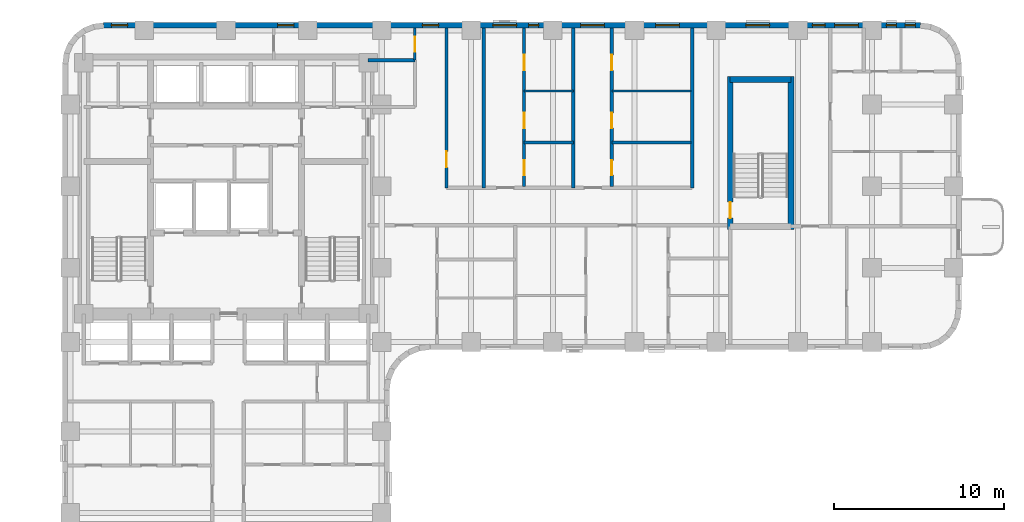
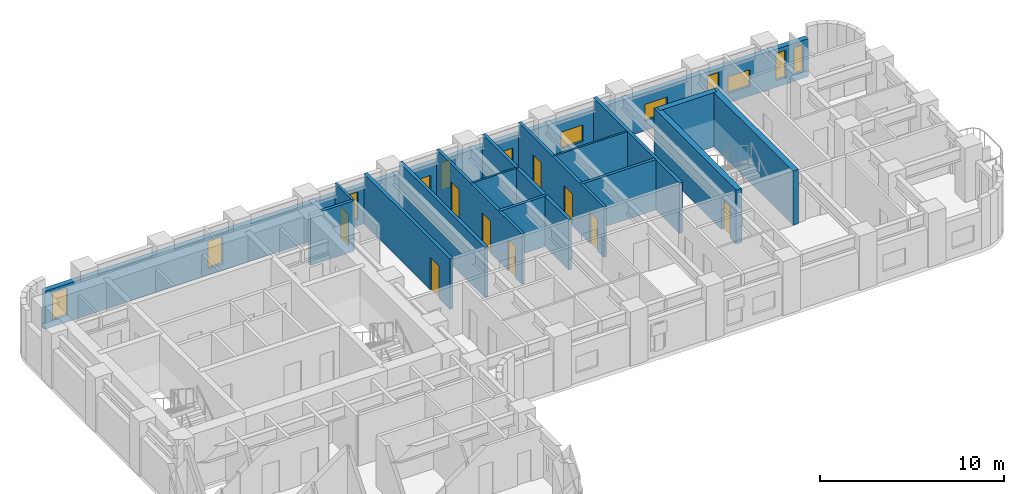
# One storey, part 7 of 10: 16 walls, 12 windows, 9 doors, 21 openings.
"""IFC4 building model written with IfcOpenShell, lengths in metres."""

from ifc_helpers import new_model, si_unit, direction, frame, frame_2d, origin, place, context, subcontext, project, spatial, rectangle, extrude, material, layer, layer_set, type_object, element, fill, save


model = new_model("IFC4")

# Units and contexts
model_context = context("Model", 3, precision=1e-05, world=origin(), true_north=direction((0.0, 1.0)))
body_context = subcontext(model_context, "Body", "Model", "MODEL_VIEW")
ifc_project = project(units=[si_unit("LENGTHUNIT", "METRE"), si_unit("AREAUNIT", "SQUARE_METRE"), si_unit("VOLUMEUNIT", "CUBIC_METRE"), si_unit("PLANEANGLEUNIT", "RADIAN"), si_unit("MASSUNIT", "GRAM", prefix="KILO")], contexts=[model_context])

# Site, building, storey
site_placement = place(None, origin())
site = spatial("IfcSite", under=ifc_project, at=site_placement, CompositionType="ELEMENT")
building_placement = place(site_placement, origin())
building = spatial("IfcBuilding", under=site, at=building_placement, Name="Orvandelia Arch Residences", CompositionType="ELEMENT")
storey_placement = place(building_placement, frame((0.0, 0.0, 32.199951171875)))
storey = spatial("IfcBuildingStorey", under=building, at=storey_placement, Name="L07", CompositionType="ELEMENT", Elevation=32.199951171875)

# Wall, opening, door
ifc_material_1 = material(Name="Concrete C50/60", Category="concrete")
ifc_layer_1 = layer(ifc_material_1, 0.35009765625, Name="Concrete C50/60", Category="concrete")
ifc_layer_set_1 = layer_set([ifc_layer_1], Name="Concrete C50/60")
wall_type_1 = type_object("IfcWallType", Name="WL-CORE-350", PredefinedType="SHEAR", material=ifc_layer_set_1)
wall_1_placement = place(storey_placement, frame((44.02001953125, 35.864990234375, 0.0), z_axis=(0.0, 0.0, 1.0), x_axis=(0.0, 1.0, 0.0)))
wall_1 = element("IfcWall", 1, at=wall_1_placement, inside=storey, type_object=wall_type_1, Name="East Stair Core Shear Wall L07-W", PredefinedType="SHEAR", context=body_context, shape_type="SweptSolid", body=[
    extrude(rectangle(XDim=8.969970703125, YDim=0.35009765625, at=frame_2d((4.48486328125, 0.0))), origin(), (0.0, 0.0, 1.0), 3.60009765625),
])
opening_1_placement = place(wall_1_placement, frame((0.64990234375, 0.0, 0.0)))
opening_1 = element("IfcOpeningElement", 2, at=opening_1_placement, cuts=wall_1, Name="Opening D7", PredefinedType="OPENING", context=body_context, shape_type="SweptSolid", body=[
    extrude(rectangle(XDim=0.949951171875, YDim=2.10009765625, at=frame_2d((0.47509765625, 1.050048828125))), frame((0.0, 0.18505859375, 0.0), z_axis=(0.0, -1.0, 0.0), x_axis=(1.0, 0.0, 0.0)), (0.0, 0.0, 1.0), 0.3701171875),
])
ifc_material_2 = material(Name="Pressurised Stairwell Fire Door")
door_type_1 = type_object("IfcDoorType", Name="DR-STAIR-950", OperationType="NOTDEFINED", PredefinedType="DOOR", material=ifc_material_2)
door_1_placement = place(opening_1_placement, origin())
door_1 = element("IfcDoor", 3, at=door_1_placement, inside=storey, type_object=door_type_1, Name="East Stairwell ST-3 Fire Door L07", OperationType="SINGLE_SWING_LEFT", OverallHeight=2.10009765625, OverallWidth=0.949951171875, PredefinedType="DOOR", context=body_context, shape_type="SweptSolid", body=[
    extrude(rectangle(XDim=0.949951171875, YDim=2.10009765625, at=frame_2d((0.47509765625, 1.050048828125))), frame((0.0, 0.02490234375, 0.0), z_axis=(0.0, -1.0, 0.0), x_axis=(1.0, 0.0, 0.0)), (0.0, 0.0, 1.0), 0.050048828125),
])
fill(opening_1, door_1)

# Walls
wall_2_placement = place(storey_placement, frame((47.60009765625, 35.864990234375, 0.0), z_axis=(0.0, 0.0, 1.0), x_axis=(0.0, 1.0, 0.0)))
element("IfcWall", 4, at=wall_2_placement, inside=storey, type_object=wall_type_1, Name="East Stair Core Shear Wall L07-E", PredefinedType="SHEAR", context=body_context, shape_type="SweptSolid", body=[
    extrude(rectangle(XDim=8.969970703125, YDim=0.35009765625, at=frame_2d((4.48486328125, 0.0))), origin(), (0.0, 0.0, 1.0), 3.60009765625),
])
wall_3_placement = place(storey_placement, frame((44.02001953125, 44.659912109375, 0.0), z_axis=(0.0, 0.0, 1.0), x_axis=(1.0, 0.0, 0.0)))
element("IfcWall", 5, at=wall_3_placement, inside=storey, type_object=wall_type_1, Name="East Stair Core Shear Wall L07-N", PredefinedType="SHEAR", context=body_context, shape_type="SweptSolid", body=[
    extrude(rectangle(XDim=3.580078125, YDim=0.35009765625, at=frame_2d((1.7900390625, 0.0))), origin(), (0.0, 0.0, 1.0), 3.60009765625),
])
ifc_material_3 = material(Name="Fire-Rated Corridor Partition")
ifc_layer_2 = layer(ifc_material_3, 0.199951171875, Name="Fire-Rated Corridor Partition")
ifc_layer_set_2 = layer_set([ifc_layer_2], Name="Fire-Rated Corridor Partition")
wall_type_2 = type_object("IfcWallType", Name="WL-CORR-200", PredefinedType="PARTITIONING", material=ifc_layer_set_2)
wall_4_placement = place(storey_placement, frame((22.75, 45.800048828125, 0.0), z_axis=(0.0, 0.0, 1.0), x_axis=(1.0, 0.0, 0.0)))
element("IfcWall", 6, at=wall_4_placement, inside=storey, type_object=wall_type_2, Name="Interior Partition Wall WL-L07-NCE-S", PredefinedType="PARTITIONING", context=body_context, shape_type="SweptSolid", body=[
    extrude(rectangle(XDim=2.75, YDim=0.199951171875, at=frame_2d((1.375, 0.0))), origin(), (0.0, 0.0, 1.0), 3.35009765625),
])

# Wall, opening, door
wall_5_placement = place(storey_placement, frame((27.35009765625, 38.300048828125, 0.0), z_axis=(0.0, 0.0, 1.0), x_axis=(0.0, 1.0, 0.0)))
wall_5 = element("IfcWall", 7, at=wall_5_placement, inside=storey, type_object=wall_type_2, Name="Interior Partition Wall WL-L07-EM-NCE", PredefinedType="PARTITIONING", context=body_context, shape_type="SweptSolid", body=[
    extrude(rectangle(XDim=9.3798828125, YDim=0.199951171875, at=frame_2d((4.68994140625, 0.0))), origin(), (0.0, 0.0, 1.0), 3.35009765625),
])
opening_2_placement = place(wall_5_placement, frame((1.199951171875, 0.0, 0.0)))
opening_2 = element("IfcOpeningElement", 8, at=opening_2_placement, cuts=wall_5, Name="Opening D2", PredefinedType="OPENING", context=body_context, shape_type="SweptSolid", body=[
    extrude(rectangle(XDim=0.949951171875, YDim=2.14990234375, at=frame_2d((0.47509765625, 1.074951171875))), frame((0.0, 0.10986328125, 0.0), z_axis=(0.0, -1.0, 0.0), x_axis=(1.0, 0.0, 0.0)), (0.0, 0.0, 1.0), 0.219970703125),
])
ifc_material_4 = material(Name="Solid-Core Timber Interior Fire Door", Category="wood")
door_type_2 = type_object("IfcDoorType", Name="DR-APT-950", OperationType="NOTDEFINED", PredefinedType="DOOR", material=ifc_material_4)
door_2_placement = place(opening_2_placement, origin())
door_2 = element("IfcDoor", 9, at=door_2_placement, inside=storey, type_object=door_type_2, Name="DR-L07-LDY", OperationType="SINGLE_SWING_RIGHT", OverallHeight=2.14990234375, OverallWidth=0.949951171875, PredefinedType="DOOR", context=body_context, shape_type="SweptSolid", body=[
    extrude(rectangle(XDim=0.949951171875, YDim=2.14990234375, at=frame_2d((0.47509765625, 1.074951171875))), frame((0.0, 0.02490234375, 0.0), z_axis=(0.0, -1.0, 0.0), x_axis=(1.0, 0.0, 0.0)), (0.0, 0.0, 1.0), 0.050048828125),
])
fill(opening_2, door_2)

# Walls
wall_6_placement = place(storey_placement, frame((41.780029296875, 38.300048828125, 0.0), z_axis=(0.0, 0.0, 1.0), x_axis=(0.0, 1.0, 0.0)))
element("IfcWall", 10, at=wall_6_placement, inside=storey, type_object=wall_type_2, Name="Interior Partition Wall WL-L07-ETV-W", PredefinedType="PARTITIONING", context=body_context, shape_type="SweptSolid", body=[
    extrude(rectangle(XDim=9.3798828125, YDim=0.199951171875, at=frame_2d((4.68994140625, 0.0))), origin(), (0.0, 0.0, 1.0), 3.35009765625),
])
ifc_material_5 = material(Name="Concrete C40/50", Category="concrete")
ifc_layer_3 = layer(ifc_material_5, 0.199951171875, Name="Concrete C40/50", Category="concrete")
ifc_layer_set_3 = layer_set([ifc_layer_3], Name="Concrete C40/50")
wall_type_3 = type_object("IfcWallType", Name="WL-DEM-200", PredefinedType="SOLIDWALL", material=ifc_layer_set_3)
for number, where, z_axis, x_axis, name in (
    (11, (29.550048828125, 38.300048828125, 0.0), (0.0, 0.0, 1.0), (0.0, 1.0, 0.0), "Interior Partition Wall WL-L07-EM-LDE"),
    (12, (34.800048828125, 38.300048828125, 0.0), (0.0, 0.0, 1.0), (0.0, 1.0, 0.0), "Interior Partition Wall WL-L07-DEM-EMN-348"),
):
    element("IfcWall", number, at=place(storey_placement, frame(where, z_axis=z_axis, x_axis=x_axis)), inside=storey, type_object=wall_type_3, Name=name, PredefinedType="SOLIDWALL", context=body_context, shape_type="SweptSolid", body=[
        extrude(rectangle(XDim=9.3798828125, YDim=0.199951171875, at=frame_2d((4.68994140625, 0.0))), origin(), (0.0, 0.0, 1.0), 3.35009765625),
    ])

# Wall, openings, windows
ifc_material_6 = material(Name="Precast concrete C40/50", Category="concrete")
ifc_layer_4 = layer(ifc_material_6, 0.320068359375, Name="Precast concrete C40/50", Category="concrete")
ifc_layer_set_4 = layer_set([ifc_layer_4], Name="Precast concrete C40/50")
wall_type_4 = type_object("IfcWallType", Name="WL-EXT-STONE-320", PredefinedType="STANDARD", material=ifc_layer_set_4)
wall_7_placement = place(storey_placement, frame((7.199951171875, 47.840087890625, 0.0), z_axis=(0.0, 0.0, 1.0), x_axis=(1.0, 0.0, 0.0)))
wall_7 = element("IfcWall", 13, at=wall_7_placement, inside=storey, type_object=wall_type_4, Name="Coral-Limestone Precast Facade Wall L07-007", PredefinedType="STANDARD", context=body_context, shape_type="SweptSolid", body=[
    extrude(rectangle(XDim=48.0, YDim=0.320068359375, at=frame_2d((24.0, 0.0))), origin(), (0.0, 0.0, 1.0), 2.530029296875),
])
opening_3_placement = place(wall_7_placement, frame((24.969970703125, 0.0, 0.449951171875)))
opening_3 = element("IfcOpeningElement", 14, at=opening_3_placement, cuts=wall_7, Name="Opening W12", PredefinedType="OPENING", context=body_context, shape_type="SweptSolid", body=[
    extrude(rectangle(XDim=0.60009765625, YDim=1.800048828125, at=frame_2d((0.300048828125, 0.89990234375))), frame((0.0, 0.169921875, 0.0), z_axis=(0.0, -1.0, 0.0), x_axis=(1.0, 0.0, 0.0)), (0.0, 0.0, 1.0), 0.340087890625),
])
opening_4_placement = place(wall_7_placement, frame((32.43505859375, 0.0, 0.64990234375)))
opening_4 = element("IfcOpeningElement", 15, at=opening_4_placement, cuts=wall_7, Name="Opening W10", PredefinedType="OPENING", context=body_context, shape_type="SweptSolid", body=[
    extrude(rectangle(XDim=1.39990234375, YDim=1.10009765625, at=frame_2d((0.699951171875, 0.550048828125))), frame((0.0, 0.169921875, 0.0), z_axis=(0.0, -1.0, 0.0), x_axis=(1.0, 0.0, 0.0)), (0.0, 0.0, 1.0), 0.340087890625),
])
opening_5_placement = place(wall_7_placement, frame((47.093994140625, 0.0, 0.449951171875)))
opening_5 = element("IfcOpeningElement", 16, at=opening_5_placement, cuts=wall_7, Name="Opening W12", PredefinedType="OPENING", context=body_context, shape_type="SweptSolid", body=[
    extrude(rectangle(XDim=0.60009765625, YDim=1.800048828125, at=frame_2d((0.300048828125, 0.89990234375))), frame((0.0, 0.169921875, 0.0), z_axis=(0.0, -1.0, 0.0), x_axis=(1.0, 0.0, 0.0)), (0.0, 0.0, 1.0), 0.340087890625),
])
opening_6_placement = place(wall_7_placement, frame((18.739990234375, 0.0, 0.449951171875)))
opening_6 = element("IfcOpeningElement", 17, at=opening_6_placement, cuts=wall_7, Name="Opening W4", PredefinedType="OPENING", context=body_context, shape_type="SweptSolid", body=[
    extrude(rectangle(XDim=0.949951171875, YDim=1.800048828125, at=frame_2d((0.47509765625, 0.89990234375))), frame((0.0, 0.169921875, 0.0), z_axis=(0.0, -1.0, 0.0), x_axis=(1.0, 0.0, 0.0)), (0.0, 0.0, 1.0), 0.340087890625),
])
opening_7_placement = place(wall_7_placement, frame((41.64990234375, 0.0, 0.449951171875)))
opening_7 = element("IfcOpeningElement", 18, at=opening_7_placement, cuts=wall_7, Name="Opening W11", PredefinedType="OPENING", context=body_context, shape_type="SweptSolid", body=[
    extrude(rectangle(XDim=0.75, YDim=1.800048828125, at=frame_2d((0.375, 0.89990234375))), frame((0.0, 0.169921875, 0.0), z_axis=(0.0, -1.0, 0.0), x_axis=(1.0, 0.0, 0.0)), (0.0, 0.0, 1.0), 0.340087890625),
])
opening_8_placement = place(wall_7_placement, frame((37.736083984375, 0.0, 0.64990234375)))
opening_8 = element("IfcOpeningElement", 19, at=opening_8_placement, cuts=wall_7, Name="Opening W10", PredefinedType="OPENING", context=body_context, shape_type="SweptSolid", body=[
    extrude(rectangle(XDim=1.39990234375, YDim=1.10009765625, at=frame_2d((0.699951171875, 0.550048828125))), frame((0.0, 0.169921875, 0.0), z_axis=(0.0, -1.0, 0.0), x_axis=(1.0, 0.0, 0.0)), (0.0, 0.0, 1.0), 0.340087890625),
])
opening_9_placement = place(wall_7_placement, frame((0.469970703125, 0.0, 0.449951171875)))
opening_9 = element("IfcOpeningElement", 20, at=opening_9_placement, cuts=wall_7, Name="Opening W4", PredefinedType="OPENING", context=body_context, shape_type="SweptSolid", body=[
    extrude(rectangle(XDim=0.949951171875, YDim=1.800048828125, at=frame_2d((0.47509765625, 0.89990234375))), frame((0.0, 0.169921875, 0.0), z_axis=(0.0, -1.0, 0.0), x_axis=(1.0, 0.0, 0.0)), (0.0, 0.0, 1.0), 0.340087890625),
])
opening_10_placement = place(wall_7_placement, frame((10.239990234375, 0.0, 0.449951171875)))
opening_10 = element("IfcOpeningElement", 21, at=opening_10_placement, cuts=wall_7, Name="Opening W4", PredefinedType="OPENING", context=body_context, shape_type="SweptSolid", body=[
    extrude(rectangle(XDim=0.949951171875, YDim=1.800048828125, at=frame_2d((0.47509765625, 0.89990234375))), frame((0.0, 0.169921875, 0.0), z_axis=(0.0, -1.0, 0.0), x_axis=(1.0, 0.0, 0.0)), (0.0, 0.0, 1.0), 0.340087890625),
])
opening_11_placement = place(wall_7_placement, frame((22.8701171875, 0.0, 0.64990234375)))
opening_11 = element("IfcOpeningElement", 22, at=opening_11_placement, cuts=wall_7, Name="Opening W10", PredefinedType="OPENING", context=body_context, shape_type="SweptSolid", body=[
    extrude(rectangle(XDim=1.39990234375, YDim=1.10009765625, at=frame_2d((0.699951171875, 0.550048828125))), frame((0.0, 0.169921875, 0.0), z_axis=(0.0, -1.0, 0.0), x_axis=(1.0, 0.0, 0.0)), (0.0, 0.0, 1.0), 0.340087890625),
])
opening_12_placement = place(wall_7_placement, frame((28.030029296875, 0.0, 0.64990234375)))
opening_12 = element("IfcOpeningElement", 23, at=opening_12_placement, cuts=wall_7, Name="Opening W10", PredefinedType="OPENING", context=body_context, shape_type="SweptSolid", body=[
    extrude(rectangle(XDim=1.39990234375, YDim=1.10009765625, at=frame_2d((0.699951171875, 0.550048828125))), frame((0.0, 0.169921875, 0.0), z_axis=(0.0, -1.0, 0.0), x_axis=(1.0, 0.0, 0.0)), (0.0, 0.0, 1.0), 0.340087890625),
])
opening_13_placement = place(wall_7_placement, frame((42.949951171875, 0.0, 0.64990234375)))
opening_13 = element("IfcOpeningElement", 24, at=opening_13_placement, cuts=wall_7, Name="Opening W10", PredefinedType="OPENING", context=body_context, shape_type="SweptSolid", body=[
    extrude(rectangle(XDim=1.39990234375, YDim=1.10009765625, at=frame_2d((0.699951171875, 0.550048828125))), frame((0.0, 0.169921875, 0.0), z_axis=(0.0, -1.0, 0.0), x_axis=(1.0, 0.0, 0.0)), (0.0, 0.0, 1.0), 0.340087890625),
])
opening_14_placement = place(wall_7_placement, frame((45.98388671875, 0.0, 0.449951171875)))
opening_14 = element("IfcOpeningElement", 25, at=opening_14_placement, cuts=wall_7, Name="Opening W12", PredefinedType="OPENING", context=body_context, shape_type="SweptSolid", body=[
    extrude(rectangle(XDim=0.60009765625, YDim=1.800048828125, at=frame_2d((0.300048828125, 0.89990234375))), frame((0.0, 0.169921875, 0.0), z_axis=(0.0, -1.0, 0.0), x_axis=(1.0, 0.0, 0.0)), (0.0, 0.0, 1.0), 0.340087890625),
])
ifc_material_7 = material(Name="Tempered Low-E Insulated Glazing", Category="glass")
window_type_1 = type_object("IfcWindowType", Name="WIN-BED-0750x1800", PartitioningType="SINGLE_PANEL", PredefinedType="WINDOW", material=ifc_material_7)
window_1_placement = place(opening_7_placement, origin())
window_1 = element("IfcWindow", 26, at=window_1_placement, inside=storey, type_object=window_type_1, Name="Recessed Punched Window L07-005", OverallHeight=1.800048828125, OverallWidth=0.75, PartitioningType="SINGLE_PANEL", PredefinedType="WINDOW", context=body_context, shape_type="SweptSolid", body=[
    extrude(rectangle(XDim=0.75, YDim=1.800048828125, at=frame_2d((0.375, 0.89990234375))), frame((0.0, 0.030029296875, 0.0), z_axis=(0.0, -1.0, 0.0), x_axis=(1.0, 0.0, 0.0)), (0.0, 0.0, 1.0), 0.06005859375),
])
fill(opening_7, window_1)
window_type_2 = type_object("IfcWindowType", Name="WIN-CLR-1400x1100", PartitioningType="SINGLE_PANEL", PredefinedType="WINDOW", material=ifc_material_7)
window_2_placement = place(opening_4_placement, origin())
window_2 = element("IfcWindow", 27, at=window_2_placement, inside=storey, type_object=window_type_2, Name="Recessed Punched Window L07-002", OverallHeight=1.10009765625, OverallWidth=1.39990234375, PartitioningType="SINGLE_PANEL", PredefinedType="WINDOW", context=body_context, shape_type="SweptSolid", body=[
    extrude(rectangle(XDim=1.39990234375, YDim=1.10009765625, at=frame_2d((0.699951171875, 0.550048828125))), frame((0.0, 0.030029296875, 0.0), z_axis=(0.0, -1.0, 0.0), x_axis=(1.0, 0.0, 0.0)), (0.0, 0.0, 1.0), 0.06005859375),
])
fill(opening_4, window_2)
window_3_placement = place(opening_8_placement, origin())
window_3 = element("IfcWindow", 28, at=window_3_placement, inside=storey, type_object=window_type_2, Name="Recessed Punched Window L07-006", OverallHeight=1.10009765625, OverallWidth=1.39990234375, PartitioningType="SINGLE_PANEL", PredefinedType="WINDOW", context=body_context, shape_type="SweptSolid", body=[
    extrude(rectangle(XDim=1.39990234375, YDim=1.10009765625, at=frame_2d((0.699951171875, 0.550048828125))), frame((0.0, 0.030029296875, 0.0), z_axis=(0.0, -1.0, 0.0), x_axis=(1.0, 0.0, 0.0)), (0.0, 0.0, 1.0), 0.06005859375),
])
fill(opening_8, window_3)
window_4_placement = place(opening_11_placement, origin())
window_4 = element("IfcWindow", 29, at=window_4_placement, inside=storey, type_object=window_type_2, Name="Recessed Punched Window L07-009", OverallHeight=1.10009765625, OverallWidth=1.39990234375, PartitioningType="SINGLE_PANEL", PredefinedType="WINDOW", context=body_context, shape_type="SweptSolid", body=[
    extrude(rectangle(XDim=1.39990234375, YDim=1.10009765625, at=frame_2d((0.699951171875, 0.550048828125))), frame((0.0, 0.030029296875, 0.0), z_axis=(0.0, -1.0, 0.0), x_axis=(1.0, 0.0, 0.0)), (0.0, 0.0, 1.0), 0.06005859375),
])
fill(opening_11, window_4)
window_5_placement = place(opening_12_placement, origin())
window_5 = element("IfcWindow", 30, at=window_5_placement, inside=storey, type_object=window_type_2, Name="Recessed Punched Window L07-010", OverallHeight=1.10009765625, OverallWidth=1.39990234375, PartitioningType="SINGLE_PANEL", PredefinedType="WINDOW", context=body_context, shape_type="SweptSolid", body=[
    extrude(rectangle(XDim=1.39990234375, YDim=1.10009765625, at=frame_2d((0.699951171875, 0.550048828125))), frame((0.0, 0.030029296875, 0.0), z_axis=(0.0, -1.0, 0.0), x_axis=(1.0, 0.0, 0.0)), (0.0, 0.0, 1.0), 0.06005859375),
])
fill(opening_12, window_5)
window_6_placement = place(opening_13_placement, origin())
window_6 = element("IfcWindow", 31, at=window_6_placement, inside=storey, type_object=window_type_2, Name="Recessed Punched Window L07-011", OverallHeight=1.10009765625, OverallWidth=1.39990234375, PartitioningType="SINGLE_PANEL", PredefinedType="WINDOW", context=body_context, shape_type="SweptSolid", body=[
    extrude(rectangle(XDim=1.39990234375, YDim=1.10009765625, at=frame_2d((0.699951171875, 0.550048828125))), frame((0.0, 0.030029296875, 0.0), z_axis=(0.0, -1.0, 0.0), x_axis=(1.0, 0.0, 0.0)), (0.0, 0.0, 1.0), 0.06005859375),
])
fill(opening_13, window_6)
window_type_3 = type_object("IfcWindowType", Name="WIN-LAN-0600x1800", PartitioningType="SINGLE_PANEL", PredefinedType="WINDOW", material=ifc_material_7)
window_7_placement = place(opening_3_placement, origin())
window_7 = element("IfcWindow", 32, at=window_7_placement, inside=storey, type_object=window_type_3, Name="Recessed Punched Window L07-001", OverallHeight=1.800048828125, OverallWidth=0.60009765625, PartitioningType="SINGLE_PANEL", PredefinedType="WINDOW", context=body_context, shape_type="SweptSolid", body=[
    extrude(rectangle(XDim=0.60009765625, YDim=1.800048828125, at=frame_2d((0.300048828125, 0.89990234375))), frame((0.0, 0.030029296875, 0.0), z_axis=(0.0, -1.0, 0.0), x_axis=(1.0, 0.0, 0.0)), (0.0, 0.0, 1.0), 0.06005859375),
])
fill(opening_3, window_7)
window_8_placement = place(opening_5_placement, origin())
window_8 = element("IfcWindow", 33, at=window_8_placement, inside=storey, type_object=window_type_3, Name="Recessed Punched Window L07-003", OverallHeight=1.800048828125, OverallWidth=0.60009765625, PartitioningType="SINGLE_PANEL", PredefinedType="WINDOW", context=body_context, shape_type="SweptSolid", body=[
    extrude(rectangle(XDim=0.60009765625, YDim=1.800048828125, at=frame_2d((0.300048828125, 0.89990234375))), frame((0.0, 0.030029296875, 0.0), z_axis=(0.0, -1.0, 0.0), x_axis=(1.0, 0.0, 0.0)), (0.0, 0.0, 1.0), 0.06005859375),
])
fill(opening_5, window_8)
window_9_placement = place(opening_14_placement, origin())
window_9 = element("IfcWindow", 34, at=window_9_placement, inside=storey, type_object=window_type_3, Name="Recessed Punched Window L07-012", OverallHeight=1.800048828125, OverallWidth=0.60009765625, PartitioningType="SINGLE_PANEL", PredefinedType="WINDOW", context=body_context, shape_type="SweptSolid", body=[
    extrude(rectangle(XDim=0.60009765625, YDim=1.800048828125, at=frame_2d((0.300048828125, 0.89990234375))), frame((0.0, 0.030029296875, 0.0), z_axis=(0.0, -1.0, 0.0), x_axis=(1.0, 0.0, 0.0)), (0.0, 0.0, 1.0), 0.06005859375),
])
fill(opening_14, window_9)
window_type_4 = type_object("IfcWindowType", Name="WIN-RES-0950x1800", PartitioningType="SINGLE_PANEL", PredefinedType="WINDOW", material=ifc_material_7)
window_10_placement = place(opening_6_placement, origin())
window_10 = element("IfcWindow", 35, at=window_10_placement, inside=storey, type_object=window_type_4, Name="Recessed Punched Window L07-004", OverallHeight=1.800048828125, OverallWidth=0.949951171875, PartitioningType="SINGLE_PANEL", PredefinedType="WINDOW", context=body_context, shape_type="SweptSolid", body=[
    extrude(rectangle(XDim=0.949951171875, YDim=1.800048828125, at=frame_2d((0.47509765625, 0.89990234375))), frame((0.0, 0.030029296875, 0.0), z_axis=(0.0, -1.0, 0.0), x_axis=(1.0, 0.0, 0.0)), (0.0, 0.0, 1.0), 0.06005859375),
])
fill(opening_6, window_10)
window_11_placement = place(opening_9_placement, origin())
window_11 = element("IfcWindow", 36, at=window_11_placement, inside=storey, type_object=window_type_4, Name="Recessed Punched Window L07-007", OverallHeight=1.800048828125, OverallWidth=0.949951171875, PartitioningType="SINGLE_PANEL", PredefinedType="WINDOW", context=body_context, shape_type="SweptSolid", body=[
    extrude(rectangle(XDim=0.949951171875, YDim=1.800048828125, at=frame_2d((0.47509765625, 0.89990234375))), frame((0.0, 0.030029296875, 0.0), z_axis=(0.0, -1.0, 0.0), x_axis=(1.0, 0.0, 0.0)), (0.0, 0.0, 1.0), 0.06005859375),
])
fill(opening_9, window_11)
window_12_placement = place(opening_10_placement, origin())
window_12 = element("IfcWindow", 37, at=window_12_placement, inside=storey, type_object=window_type_4, Name="Recessed Punched Window L07-008", OverallHeight=1.800048828125, OverallWidth=0.949951171875, PartitioningType="SINGLE_PANEL", PredefinedType="WINDOW", context=body_context, shape_type="SweptSolid", body=[
    extrude(rectangle(XDim=0.949951171875, YDim=1.800048828125, at=frame_2d((0.47509765625, 0.89990234375))), frame((0.0, 0.030029296875, 0.0), z_axis=(0.0, -1.0, 0.0), x_axis=(1.0, 0.0, 0.0)), (0.0, 0.0, 1.0), 0.06005859375),
])
fill(opening_10, window_12)

# Walls
ifc_material_8 = material(Name="Lightweight Gypsum Stud Partition")
ifc_layer_5 = layer(ifc_material_8, 0.1201171875, Name="Lightweight Gypsum Stud Partition")
ifc_layer_set_5 = layer_set([ifc_layer_5], Name="Lightweight Gypsum Stud Partition")
wall_type_5 = type_object("IfcWallType", Name="WL-PART-120", PredefinedType="PARTITIONING", material=ifc_layer_set_5)
wall_8_placement = place(storey_placement, frame((31.909912109375, 43.99609375, 0.0), z_axis=(0.0, 0.0, 1.0), x_axis=(1.0, 0.0, 0.0)))
element("IfcWall", 38, at=wall_8_placement, inside=storey, type_object=wall_type_5, Name="Interior Partition Wall WL-L07-U09-H2", PredefinedType="PARTITIONING", context=body_context, shape_type="SweptSolid", body=[
    extrude(rectangle(XDim=2.91015625, YDim=0.1201171875, at=frame_2d((1.455078125, 0.0))), origin(), (0.0, 0.0, 1.0), 3.35009765625),
])
wall_9_placement = place(storey_placement, frame((37.06005859375, 43.99609375, 0.0), z_axis=(0.0, 0.0, 1.0), x_axis=(1.0, 0.0, 0.0)))
element("IfcWall", 39, at=wall_9_placement, inside=storey, type_object=wall_type_5, Name="Interior Partition Wall WL-L07-U10-H2", PredefinedType="PARTITIONING", context=body_context, shape_type="SweptSolid", body=[
    extrude(rectangle(XDim=4.639892578125, YDim=0.1201171875, at=frame_2d((2.31982421875, 0.0))), origin(), (0.0, 0.0, 1.0), 3.35009765625),
])

# Wall, opening, door
ifc_material_9 = material(Name="Acoustic Gypsum Stud Partition")
ifc_layer_6 = layer(ifc_material_9, 0.14990234375, Name="Acoustic Gypsum Stud Partition")
ifc_layer_set_6 = layer_set([ifc_layer_6], Name="Acoustic Gypsum Stud Partition")
wall_type_6 = type_object("IfcWallType", Name="WL-PART-150", PredefinedType="PARTITIONING", material=ifc_layer_set_6)
wall_10_placement = place(storey_placement, frame((25.5, 45.800048828125, 0.0), z_axis=(0.0, 0.0, 1.0), x_axis=(0.0, 1.0, 0.0)))
wall_10 = element("IfcWall", 40, at=wall_10_placement, inside=storey, type_object=wall_type_6, Name="Interior Partition Wall WL-L07-NCE-W", PredefinedType="PARTITIONING", context=body_context, shape_type="SweptSolid", body=[
    extrude(rectangle(XDim=1.8798828125, YDim=0.14990234375, at=frame_2d((0.93994140625, 0.0))), origin(), (0.0, 0.0, 1.0), 3.35009765625),
])
opening_15_placement = place(wall_10_placement, frame((0.5, 0.0, 0.0)))
opening_15 = element("IfcOpeningElement", 41, at=opening_15_placement, cuts=wall_10, Name="Opening D5", PredefinedType="OPENING", context=body_context, shape_type="SweptSolid", body=[
    extrude(rectangle(XDim=0.8798828125, YDim=2.10009765625, at=frame_2d((0.43994140625, 1.050048828125))), frame((0.0, 0.0849609375, 0.0), z_axis=(0.0, -1.0, 0.0), x_axis=(1.0, 0.0, 0.0)), (0.0, 0.0, 1.0), 0.169921875),
])
ifc_material_10 = material(Name="Painted Galvanised Steel Service Door", Category="steel")
door_type_3 = type_object("IfcDoorType", Name="DR-SRV-880", OperationType="NOTDEFINED", PredefinedType="DOOR", material=ifc_material_10)
door_3_placement = place(opening_15_placement, origin())
door_3 = element("IfcDoor", 42, at=door_3_placement, inside=storey, type_object=door_type_3, Name="DR-L07-NCS2", OperationType="SINGLE_SWING_LEFT", OverallHeight=2.10009765625, OverallWidth=0.8798828125, PredefinedType="DOOR", context=body_context, shape_type="SweptSolid", body=[
    extrude(rectangle(XDim=0.8798828125, YDim=2.10009765625, at=frame_2d((0.43994140625, 1.050048828125))), frame((0.0, 0.02490234375, 0.0), z_axis=(0.0, -1.0, 0.0), x_axis=(1.0, 0.0, 0.0)), (0.0, 0.0, 1.0), 0.050048828125),
])
fill(opening_15, door_3)

# Wall, openings, doors
ifc_material_11 = material(Name="Moisture-Resistant Plumbing Wall")
ifc_layer_7 = layer(ifc_material_11, 0.179931640625, Name="Moisture-Resistant Plumbing Wall")
ifc_layer_set_7 = layer_set([ifc_layer_7], Name="Moisture-Resistant Plumbing Wall")
wall_type_7 = type_object("IfcWallType", Name="WL-WET-180", PredefinedType="PLUMBINGWALL", material=ifc_layer_set_7)
wall_11_placement = place(storey_placement, frame((31.909912109375, 38.3798828125, 0.0), z_axis=(0.0, 0.0, 1.0), x_axis=(0.0, 1.0, 0.0)))
wall_11 = element("IfcWall", 43, at=wall_11_placement, inside=storey, type_object=wall_type_7, Name="Interior Partition Wall WL-L07-U09-VT", PredefinedType="PLUMBINGWALL", context=body_context, shape_type="SweptSolid", body=[
    extrude(rectangle(XDim=9.300048828125, YDim=0.179931640625, at=frame_2d((4.64990234375, 0.0))), origin(), (0.0, 0.0, 1.0), 3.35009765625),
])
opening_16_placement = place(wall_11_placement, frame((0.66748046875, 0.0, 0.0)))
opening_16 = element("IfcOpeningElement", 44, at=opening_16_placement, cuts=wall_11, Name="Opening D4", PredefinedType="OPENING", context=body_context, shape_type="SweptSolid", body=[
    extrude(rectangle(XDim=0.860107421875, YDim=2.10009765625, at=frame_2d((0.43017578125, 1.050048828125))), frame((0.0, 0.10009765625, 0.0), z_axis=(0.0, -1.0, 0.0), x_axis=(1.0, 0.0, 0.0)), (0.0, 0.0, 1.0), 0.199951171875),
])
opening_17_placement = place(wall_11_placement, frame((3.430419921875, 0.0, 0.0)))
opening_17 = element("IfcOpeningElement", 45, at=opening_17_placement, cuts=wall_11, Name="Opening D3", PredefinedType="OPENING", context=body_context, shape_type="SweptSolid", body=[
    extrude(rectangle(XDim=0.89990234375, YDim=2.14990234375, at=frame_2d((0.449951171875, 1.074951171875))), frame((0.0, 0.10009765625, 0.0), z_axis=(0.0, -1.0, 0.0), x_axis=(1.0, 0.0, 0.0)), (0.0, 0.0, 1.0), 0.199951171875),
])
opening_18_placement = place(wall_11_placement, frame((6.828369140625, 0.0, 0.0)))
opening_18 = element("IfcOpeningElement", 46, at=opening_18_placement, cuts=wall_11, Name="Opening D3", PredefinedType="OPENING", context=body_context, shape_type="SweptSolid", body=[
    extrude(rectangle(XDim=0.89990234375, YDim=2.14990234375, at=frame_2d((0.449951171875, 1.074951171875))), frame((0.0, 0.10009765625, 0.0), z_axis=(0.0, -1.0, 0.0), x_axis=(1.0, 0.0, 0.0)), (0.0, 0.0, 1.0), 0.199951171875),
])
ifc_material_12 = material(Name="Engineered Timber Flush Door", Category="wood")
door_type_4 = type_object("IfcDoorType", Name="DR-INT-900", OperationType="NOTDEFINED", PredefinedType="DOOR", material=ifc_material_12)
door_4_placement = place(opening_17_placement, origin())
door_4 = element("IfcDoor", 47, at=door_4_placement, inside=storey, type_object=door_type_4, Name="DR-L07-U09-KIT", OperationType="SINGLE_SWING_LEFT", OverallHeight=2.14990234375, OverallWidth=0.89990234375, PredefinedType="DOOR", context=body_context, shape_type="SweptSolid", body=[
    extrude(rectangle(XDim=0.89990234375, YDim=2.14990234375, at=frame_2d((0.449951171875, 1.074951171875))), frame((0.0, 0.02490234375, 0.0), z_axis=(0.0, -1.0, 0.0), x_axis=(1.0, 0.0, 0.0)), (0.0, 0.0, 1.0), 0.050048828125),
])
fill(opening_17, door_4)
door_5_placement = place(opening_18_placement, origin())
door_5 = element("IfcDoor", 48, at=door_5_placement, inside=storey, type_object=door_type_4, Name="DR-L07-U09-BD1", OperationType="SINGLE_SWING_RIGHT", OverallHeight=2.14990234375, OverallWidth=0.89990234375, PredefinedType="DOOR", context=body_context, shape_type="SweptSolid", body=[
    extrude(rectangle(XDim=0.89990234375, YDim=2.14990234375, at=frame_2d((0.449951171875, 1.074951171875))), frame((0.0, 0.02490234375, 0.0), z_axis=(0.0, -1.0, 0.0), x_axis=(1.0, 0.0, 0.0)), (0.0, 0.0, 1.0), 0.050048828125),
])
fill(opening_18, door_5)
ifc_material_13 = material(Name="Moisture-Sealed Timber Bathroom Door", Category="wood")
door_type_5 = type_object("IfcDoorType", Name="DR-WET-900", OperationType="NOTDEFINED", PredefinedType="DOOR", material=ifc_material_13)
door_6_placement = place(opening_16_placement, origin())
door_6 = element("IfcDoor", 49, at=door_6_placement, inside=storey, type_object=door_type_5, Name="DR-L07-U09-BTH", OperationType="SINGLE_SWING_RIGHT", OverallHeight=2.10009765625, OverallWidth=0.860107421875, PredefinedType="DOOR", context=body_context, shape_type="SweptSolid", body=[
    extrude(rectangle(XDim=0.860107421875, YDim=2.10009765625, at=frame_2d((0.43017578125, 1.050048828125))), frame((0.0, 0.02490234375, 0.0), z_axis=(0.0, -1.0, 0.0), x_axis=(1.0, 0.0, 0.0)), (0.0, 0.0, 1.0), 0.050048828125),
])
fill(opening_16, door_6)

# Wall
wall_12_placement = place(storey_placement, frame((31.909912109375, 40.962890625, 0.0), z_axis=(0.0, 0.0, 1.0), x_axis=(1.0, 0.0, 0.0)))
element("IfcWall", 50, at=wall_12_placement, inside=storey, type_object=wall_type_7, Name="Interior Partition Wall WL-L07-U09-H1", PredefinedType="PLUMBINGWALL", context=body_context, shape_type="SweptSolid", body=[
    extrude(rectangle(XDim=2.91015625, YDim=0.179931640625, at=frame_2d((1.455078125, 0.0))), origin(), (0.0, 0.0, 1.0), 3.35009765625),
])

# Wall, openings, doors
wall_13_placement = place(storey_placement, frame((37.06005859375, 38.3798828125, 0.0), z_axis=(0.0, 0.0, 1.0), x_axis=(0.0, 1.0, 0.0)))
wall_13 = element("IfcWall", 51, at=wall_13_placement, inside=storey, type_object=wall_type_7, Name="Interior Partition Wall WL-L07-U10-VT", PredefinedType="PLUMBINGWALL", context=body_context, shape_type="SweptSolid", body=[
    extrude(rectangle(XDim=9.300048828125, YDim=0.179931640625, at=frame_2d((4.64990234375, 0.0))), origin(), (0.0, 0.0, 1.0), 3.35009765625),
])
opening_19_placement = place(wall_13_placement, frame((0.66748046875, 0.0, 0.0)))
opening_19 = element("IfcOpeningElement", 52, at=opening_19_placement, cuts=wall_13, Name="Opening D4", PredefinedType="OPENING", context=body_context, shape_type="SweptSolid", body=[
    extrude(rectangle(XDim=0.860107421875, YDim=2.10009765625, at=frame_2d((0.43017578125, 1.050048828125))), frame((0.0, 0.10009765625, 0.0), z_axis=(0.0, -1.0, 0.0), x_axis=(1.0, 0.0, 0.0)), (0.0, 0.0, 1.0), 0.199951171875),
])
opening_20_placement = place(wall_13_placement, frame((3.430419921875, 0.0, 0.0)))
opening_20 = element("IfcOpeningElement", 53, at=opening_20_placement, cuts=wall_13, Name="Opening D3", PredefinedType="OPENING", context=body_context, shape_type="SweptSolid", body=[
    extrude(rectangle(XDim=0.89990234375, YDim=2.14990234375, at=frame_2d((0.449951171875, 1.074951171875))), frame((0.0, 0.10009765625, 0.0), z_axis=(0.0, -1.0, 0.0), x_axis=(1.0, 0.0, 0.0)), (0.0, 0.0, 1.0), 0.199951171875),
])
opening_21_placement = place(wall_13_placement, frame((6.828369140625, 0.0, 0.0)))
opening_21 = element("IfcOpeningElement", 54, at=opening_21_placement, cuts=wall_13, Name="Opening D3", PredefinedType="OPENING", context=body_context, shape_type="SweptSolid", body=[
    extrude(rectangle(XDim=0.89990234375, YDim=2.14990234375, at=frame_2d((0.449951171875, 1.074951171875))), frame((0.0, 0.10009765625, 0.0), z_axis=(0.0, -1.0, 0.0), x_axis=(1.0, 0.0, 0.0)), (0.0, 0.0, 1.0), 0.199951171875),
])
door_7_placement = place(opening_20_placement, origin())
door_7 = element("IfcDoor", 55, at=door_7_placement, inside=storey, type_object=door_type_4, Name="DR-L07-U10-KIT", OperationType="SINGLE_SWING_RIGHT", OverallHeight=2.14990234375, OverallWidth=0.89990234375, PredefinedType="DOOR", context=body_context, shape_type="SweptSolid", body=[
    extrude(rectangle(XDim=0.89990234375, YDim=2.14990234375, at=frame_2d((0.449951171875, 1.074951171875))), frame((0.0, 0.02490234375, 0.0), z_axis=(0.0, -1.0, 0.0), x_axis=(1.0, 0.0, 0.0)), (0.0, 0.0, 1.0), 0.050048828125),
])
fill(opening_20, door_7)
door_8_placement = place(opening_21_placement, origin())
door_8 = element("IfcDoor", 56, at=door_8_placement, inside=storey, type_object=door_type_4, Name="DR-L07-U10-BD1", OperationType="SINGLE_SWING_LEFT", OverallHeight=2.14990234375, OverallWidth=0.89990234375, PredefinedType="DOOR", context=body_context, shape_type="SweptSolid", body=[
    extrude(rectangle(XDim=0.89990234375, YDim=2.14990234375, at=frame_2d((0.449951171875, 1.074951171875))), frame((0.0, 0.02490234375, 0.0), z_axis=(0.0, -1.0, 0.0), x_axis=(1.0, 0.0, 0.0)), (0.0, 0.0, 1.0), 0.050048828125),
])
fill(opening_21, door_8)
door_9_placement = place(opening_19_placement, origin())
door_9 = element("IfcDoor", 57, at=door_9_placement, inside=storey, type_object=door_type_5, Name="DR-L07-U10-BTH", OperationType="SINGLE_SWING_LEFT", OverallHeight=2.10009765625, OverallWidth=0.860107421875, PredefinedType="DOOR", context=body_context, shape_type="SweptSolid", body=[
    extrude(rectangle(XDim=0.860107421875, YDim=2.10009765625, at=frame_2d((0.43017578125, 1.050048828125))), frame((0.0, 0.02490234375, 0.0), z_axis=(0.0, -1.0, 0.0), x_axis=(1.0, 0.0, 0.0)), (0.0, 0.0, 1.0), 0.050048828125),
])
fill(opening_19, door_9)

# Wall
wall_14_placement = place(storey_placement, frame((37.06005859375, 40.962890625, 0.0), z_axis=(0.0, 0.0, 1.0), x_axis=(1.0, 0.0, 0.0)))
element("IfcWall", 58, at=wall_14_placement, inside=storey, type_object=wall_type_7, Name="Interior Partition Wall WL-L07-U10-H1", PredefinedType="PLUMBINGWALL", context=body_context, shape_type="SweptSolid", body=[
    extrude(rectangle(XDim=4.639892578125, YDim=0.179931640625, at=frame_2d((2.31982421875, 0.0))), origin(), (0.0, 0.0, 1.0), 3.35009765625),
])

save(model, "model.ifc")
